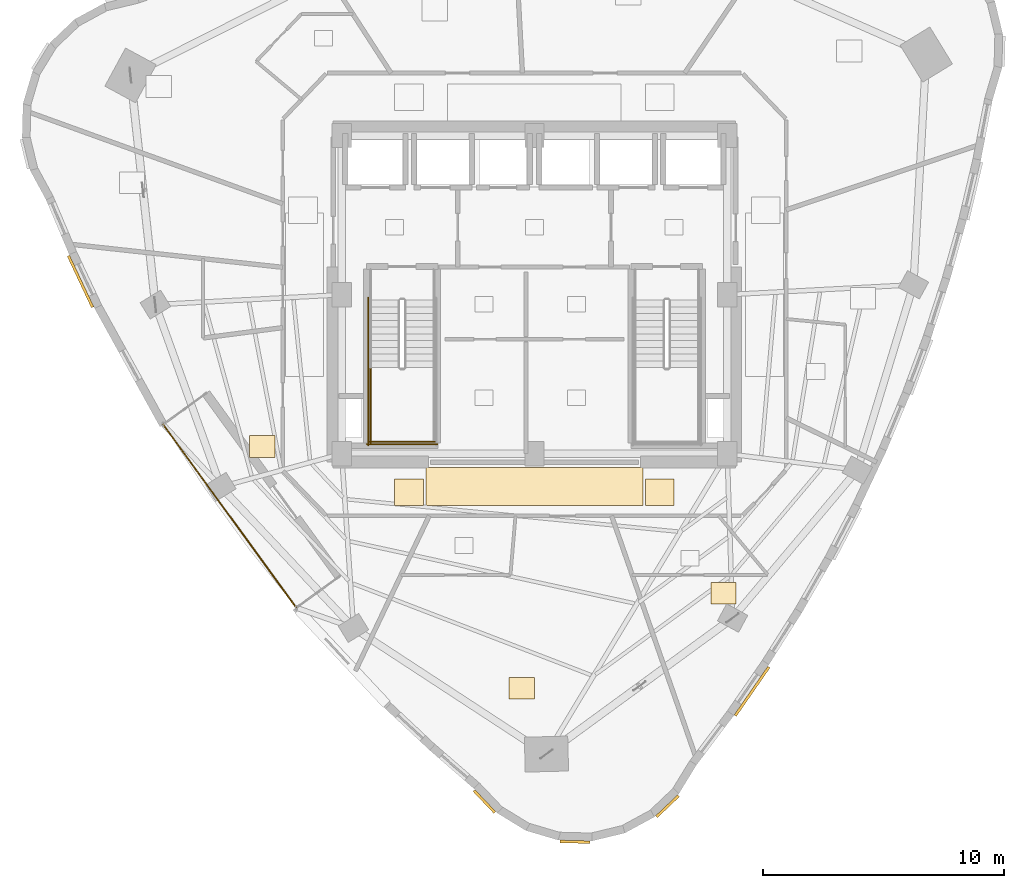
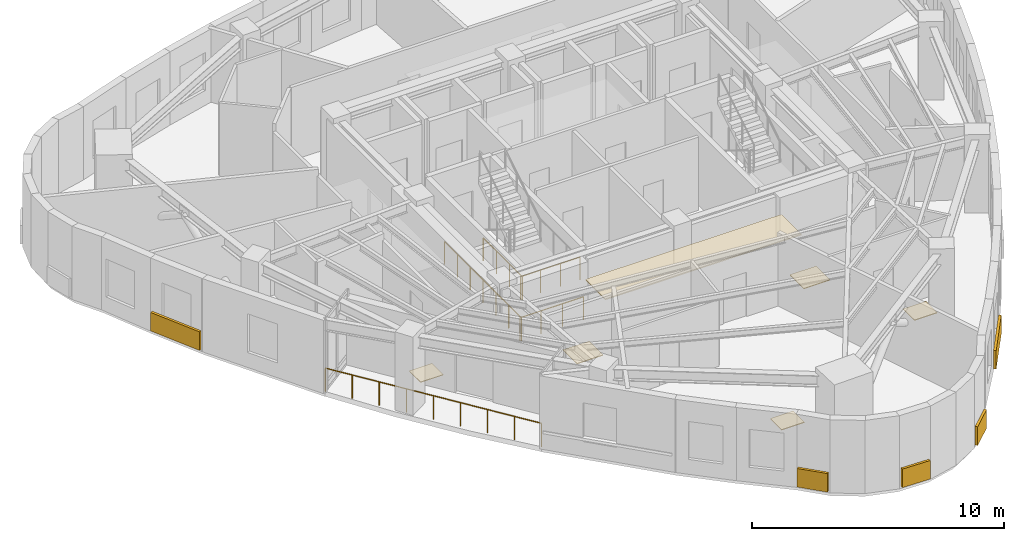
# One storey, part 11 of 13: 11 coverings, 5 railings.
"""IFC4 building model written with IfcOpenShell, lengths in metres."""

from ifc_helpers import new_model, si_unit, direction, frame, origin, origin_2d, place, context, subcontext, project, spatial, rectangle, circle, extrude, material, layer, layer_set, type_object, element, save


model = new_model("IFC4")

# Units and contexts
model_context = context("Model", 3, precision=1e-05, world=origin(), true_north=direction((0.0, 1.0)))
body_context = subcontext(model_context, "Body", "Model", "MODEL_VIEW")
ifc_project = project(units=[si_unit("LENGTHUNIT", "METRE"), si_unit("AREAUNIT", "SQUARE_METRE"), si_unit("VOLUMEUNIT", "CUBIC_METRE"), si_unit("PLANEANGLEUNIT", "RADIAN"), si_unit("MASSUNIT", "GRAM", prefix="KILO")], contexts=[model_context])

# Site, building, storey
site_placement = place(None, origin())
site = spatial("IfcSite", under=ifc_project, at=site_placement, CompositionType="ELEMENT")
building_placement = place(site_placement, origin())
building = spatial("IfcBuilding", under=site, at=building_placement, Name="Ndelora Gate Hotel", CompositionType="ELEMENT")
storey_placement = place(building_placement, frame((0.0, 0.0, 228.35009765625)))
storey = spatial("IfcBuildingStorey", under=building, at=storey_placement, Name="L57", CompositionType="ELEMENT", Elevation=228.35009765625)

# Coverings
ifc_material_1 = material(Name="Perforated Acoustic Gypsum Board", Category="gypsum")
ifc_layer_1 = layer(ifc_material_1, 0.054931640625)
ifc_layer_set_1 = layer_set([ifc_layer_1], Name="Perforated Acoustic Gypsum Board")
covering_type_1 = type_object("IfcCoveringType", Name="COV-CEIL-AC60", PredefinedType="CEILING", material=ifc_layer_set_1)
covering_1_placement = place(storey_placement, frame((0.0, -7.9599609375, 2.65234375), z_axis=(0.0, 0.0, 1.0), x_axis=(1.0, 0.0, 0.0)))
element("IfcCovering", 1, at=covering_1_placement, inside=storey, type_object=covering_type_1, Name="L57 Guest Corridor Acoustic Ceiling S", PredefinedType="CEILING", context=body_context, shape_type="SweptSolid", body=[
    extrude(rectangle(XDim=9.0, YDim=1.580078125, at=origin_2d()), origin(), (0.0, 0.0, 1.0), 0.054931640625),
])
ifc_material_2 = material(Name="Terracotta Fired Clay Brick Slip Cladding", Category="masonry")
ifc_layer_2 = layer(ifc_material_2, 0.110107421875)
ifc_layer_set_2 = layer_set([ifc_layer_2], Name="Terracotta Fired Clay Brick Slip Cladding")
covering_type_2 = type_object("IfcCoveringType", Name="COV-CLAD-BRK", PredefinedType="CLADDING", material=ifc_layer_set_2)
covering_2_placement = place(storey_placement, frame((-18.83642578125, 0.544189453125, 0.099853515625), z_axis=(0.0, 0.0, 1.0), x_axis=(-0.425305466885, 0.90504986594, 0.0)))
element("IfcCovering", 2, at=covering_2_placement, inside=storey, type_object=covering_type_2, Name="L57 Rounded-Corner Brick Cladding Band 10", PredefinedType="CLADDING", context=body_context, shape_type="SweptSolid", body=[
    extrude(rectangle(XDim=2.35888671875, YDim=0.110107421875, at=origin_2d()), origin(), (0.0, 0.0, 1.0), 0.89990234375),
])
for number, where, z_axis, x_axis, name in (
    (3, (-2.076416015625, -21.031982421875, 0.099853515625), (0.0, 0.0, 1.0), (-0.688354575694, 0.725374371012, 0.0), "L57 Rounded-Corner Brick Cladding Band 19"),
    (4, (1.68115234375, -22.705078125, 0.099853515625), (0.0, 0.0, 1.0), (-0.999657324976, 0.026176948308, 0.0), "L57 Rounded-Corner Brick Cladding Band 22"),
    (5, (5.52099609375, -21.23095703125, 0.099853515625), (0.0, 0.0, 1.0), (0.725374371012, 0.688354575694, 0.0), "L57 Rounded-Corner Brick Cladding Band 25"),
):
    element("IfcCovering", number, at=place(storey_placement, frame(where, z_axis=z_axis, x_axis=x_axis)), inside=storey, type_object=covering_type_2, Name=name, PredefinedType="CLADDING", context=body_context, shape_type="SweptSolid", body=[
        extrude(rectangle(XDim=1.257080078125, YDim=0.110107421875, at=origin_2d()), origin(), (0.0, 0.0, 1.0), 0.89990234375),
    ])
covering_3_placement = place(storey_placement, frame((9.033935546875, -16.457763671875, 0.099853515625), z_axis=(0.0, 0.0, 1.0), x_axis=(0.569136023557, 0.822243386529, 0.0)))
element("IfcCovering", 6, at=covering_3_placement, inside=storey, type_object=covering_type_2, Name="L57 Rounded-Corner Brick Cladding Band 28", PredefinedType="CLADDING", context=body_context, shape_type="SweptSolid", body=[
    extrude(rectangle(XDim=2.4599609375, YDim=0.110107421875, at=origin_2d()), origin(), (0.0, 0.0, 1.0), 0.89990234375),
])
ifc_material_3 = material(Name="Engineered Highland Oak Parquet", Category="wood")
ifc_layer_3 = layer(ifc_material_3, 0.030029296875)
ifc_layer_set_3 = layer_set([ifc_layer_3], Name="Engineered Highland Oak Parquet")
covering_type_3 = type_object("IfcCoveringType", Name="COV-FLR-PARQ", PredefinedType="FLOORING", material=ifc_layer_set_3)
for number, where, z_axis, x_axis, name in (
    (7, (-11.2958984375, -6.302734375, 0.0), (0.0, 0.0, 1.0), (1.0, 0.0, 0.0), "L57 Sky Garden Tea Dining Room Oak Parquet Flooring"),
    (8, (-0.522216796875, -16.328369140625, 0.0), (0.0, 0.0, 1.0), (1.0, 0.0, 0.0), "L57 Highland Executive Two-Bay Suite 6001 Oak Parquet Flooring"),
    (9, (7.846435546875, -12.3916015625, 0.0), (0.0, 0.0, 1.0), (1.0, 0.0, 0.0), "L57 Corner Panoramic Executive Suite 6002 Oak Parquet Flooring"),
):
    element("IfcCovering", number, at=place(storey_placement, frame(where, z_axis=z_axis, x_axis=x_axis)), inside=storey, type_object=covering_type_3, Name=name, PredefinedType="FLOORING", context=body_context, shape_type="SweptSolid", body=[
        extrude(rectangle(XDim=1.050048828125, YDim=0.89990234375, at=origin_2d()), origin(), (0.0, 0.0, 1.0), 0.030029296875),
    ])
ifc_material_4 = material(Name="Polished Highland Stone Terrazzo", Category="masonry")
ifc_layer_4 = layer(ifc_material_4, 0.034912109375)
ifc_layer_set_4 = layer_set([ifc_layer_4], Name="Polished Highland Stone Terrazzo")
covering_type_4 = type_object("IfcCoveringType", Name="COV-FLR-TERZ", PredefinedType="FLOORING", material=ifc_layer_set_4)
for number, where, z_axis, x_axis, name in (
    (10, (-5.199951171875, -8.199951171875, 0.0), (0.0, 0.0, 1.0), (1.0, 0.0, 0.0), "L57 Corridor Threshold Terrazzo Inlay SW"),
    (11, (5.199951171875, -8.199951171875, 0.0), (0.0, 0.0, 1.0), (1.0, 0.0, 0.0), "L57 Corridor Threshold Terrazzo Inlay SE"),
):
    element("IfcCovering", number, at=place(storey_placement, frame(where, z_axis=z_axis, x_axis=x_axis)), inside=storey, type_object=covering_type_4, Name=name, PredefinedType="FLOORING", context=body_context, shape_type="SweptSolid", body=[
        extrude(rectangle(XDim=1.199951171875, YDim=1.10009765625, at=origin_2d()), origin(), (0.0, 0.0, 1.0), 0.034912109375),
    ])

# Railings
ifc_material_5 = material(Name="Laminated Safety Glass and Bronze Top Rail", Category="glass")
ifc_layer_5 = layer(ifc_material_5, 0.070068359375)
ifc_layer_set_5 = layer_set([ifc_layer_5], Name="Laminated Safety Glass and Bronze Top Rail")
railing_type_1 = type_object("IfcRailingType", Name="RL-BAL-1150", PredefinedType="BALUSTRADE", material=ifc_layer_set_5)
railing_1_placement = place(storey_placement, frame((-15.407470703125, -5.384521484375, 0.0)))
element("IfcRailing", 12, at=railing_1_placement, inside=storey, type_object=railing_type_1, Name="L57 Sky-Garden Loggia Terrace Balustrade", PredefinedType="BALUSTRADE", context=body_context, shape_type="SweptSolid", body=[
    extrude(circle(Radius=0.02392578125, at=origin_2d()), frame((0.0, 0.0, 1.1357421875), z_axis=(0.587771657404, -0.809026871465, 0.0), x_axis=(0.809026871465, 0.587771657404, 0.0)), (0.0, 0.0, 1.0), 9.400146484375),
    extrude(circle(Radius=0.02099609375, at=origin_2d()), origin(), (0.0, 0.0, 1.0), 1.11181640625),
    extrude(circle(Radius=0.02099609375, at=origin_2d()), frame((0.690673828125, -0.95068359375, 0.0)), (0.0, 0.0, 1.0), 1.11181640625),
    extrude(circle(Radius=0.02099609375, at=origin_2d()), frame((1.38134765625, -1.9013671875, 0.0)), (0.0, 0.0, 1.0), 1.11181640625),
    extrude(circle(Radius=0.02099609375, at=origin_2d()), frame((2.072021484375, -2.851806640625, 0.0)), (0.0, 0.0, 1.0), 1.11181640625),
    extrude(circle(Radius=0.02099609375, at=origin_2d()), frame((2.7626953125, -3.802490234375, 0.0)), (0.0, 0.0, 1.0), 1.11181640625),
    extrude(circle(Radius=0.02099609375, at=origin_2d()), frame((3.453125, -4.753173828125, 0.0)), (0.0, 0.0, 1.0), 1.11181640625),
    extrude(circle(Radius=0.02099609375, at=origin_2d()), frame((4.143798828125, -5.70361328125, 0.0)), (0.0, 0.0, 1.0), 1.11181640625),
    extrude(circle(Radius=0.02099609375, at=origin_2d()), frame((4.83447265625, -6.654296875, 0.0)), (0.0, 0.0, 1.0), 1.11181640625),
    extrude(circle(Radius=0.02099609375, at=origin_2d()), frame((5.525146484375, -7.60498046875, 0.0)), (0.0, 0.0, 1.0), 1.11181640625),
])
ifc_material_6 = material(Name="Painted Galvanized Steel Balustrade", Category="steel")
ifc_layer_6 = layer(ifc_material_6, 0.06005859375)
ifc_layer_set_6 = layer_set([ifc_layer_6], Name="Painted Galvanized Steel Balustrade")
railing_type_2 = type_object("IfcRailingType", Name="RL-STAIR-GD", PredefinedType="GUARDRAIL", material=ifc_layer_set_6)
railing_2_placement = place(storey_placement, frame((-6.800048828125, -3.030029296875, 1.89990234375)))
element("IfcRailing", 13, at=railing_2_placement, inside=storey, type_object=railing_type_2, Name="L57 ST4 stair guard 3", PredefinedType="GUARDRAIL", context=body_context, shape_type="SweptSolid", body=[
    extrude(circle(Radius=0.02392578125, at=origin_2d()), frame((0.0, 0.0, 1.10595703125), z_axis=(0.0, -1.0, 0.0), x_axis=(1.0, 0.0, 0.0)), (0.0, 0.0, 1.0), 3.119873046875),
    extrude(circle(Radius=0.02099609375, at=origin_2d()), origin(), (0.0, 0.0, 1.0), 1.081787109375),
    extrude(circle(Radius=0.02099609375, at=origin_2d()), frame((0.0, -1.0400390625, 0.0)), (0.0, 0.0, 1.0), 1.081787109375),
    extrude(circle(Radius=0.02099609375, at=origin_2d()), frame((0.0, -2.079833984375, 0.0)), (0.0, 0.0, 1.0), 1.081787109375),
    extrude(circle(Radius=0.02099609375, at=origin_2d()), frame((0.0, -3.119873046875, 0.0)), (0.0, 0.0, 1.0), 1.081787109375),
])
railing_3_placement = place(storey_placement, frame((-6.85009765625, -6.10009765625, 1.89990234375)))
element("IfcRailing", 14, at=railing_3_placement, inside=storey, type_object=railing_type_2, Name="L57 ST4 stair guard 5", PredefinedType="GUARDRAIL", context=body_context, shape_type="SweptSolid", body=[
    extrude(circle(Radius=0.02392578125, at=origin_2d()), frame((0.0, 0.0, 1.10595703125), z_axis=(1.0, 0.0, 0.0), x_axis=(0.0, 1.0, 0.0)), (0.0, 0.0, 1.0), 2.72021484375),
    extrude(circle(Radius=0.02099609375, at=origin_2d()), origin(), (0.0, 0.0, 1.0), 1.081787109375),
    extrude(circle(Radius=0.02099609375, at=origin_2d()), frame((0.90673828125, 0.0, 0.0)), (0.0, 0.0, 1.0), 1.081787109375),
    extrude(circle(Radius=0.02099609375, at=origin_2d()), frame((1.8134765625, 0.0, 0.0)), (0.0, 0.0, 1.0), 1.081787109375),
    extrude(circle(Radius=0.02099609375, at=origin_2d()), frame((2.72021484375, 0.0, 0.0)), (0.0, 0.0, 1.0), 1.081787109375),
])
railing_4_placement = place(storey_placement, frame((-6.89990234375, -0.1298828125, 0.0)))
element("IfcRailing", 15, at=railing_4_placement, inside=storey, type_object=railing_type_2, Name="L57 ST4 stair guard 10", PredefinedType="GUARDRAIL", context=body_context, shape_type="SweptSolid", body=[
    extrude(circle(Radius=0.02392578125, at=origin_2d()), frame((0.0, 0.0, 1.10595703125), z_axis=(0.0, -1.0, 0.0), x_axis=(1.0, 0.0, 0.0)), (0.0, 0.0, 1.0), 6.1201171875),
    extrude(circle(Radius=0.02099609375, at=origin_2d()), origin(), (0.0, 0.0, 1.0), 1.081787109375),
    extrude(circle(Radius=0.02099609375, at=origin_2d()), frame((0.0, -1.02001953125, 0.0)), (0.0, 0.0, 1.0), 1.081787109375),
    extrude(circle(Radius=0.02099609375, at=origin_2d()), frame((0.0, -2.0400390625, 0.0)), (0.0, 0.0, 1.0), 1.081787109375),
    extrude(circle(Radius=0.02099609375, at=origin_2d()), frame((0.0, -3.06005859375, 0.0)), (0.0, 0.0, 1.0), 1.081787109375),
    extrude(circle(Radius=0.02099609375, at=origin_2d()), frame((0.0, -4.080078125, 0.0)), (0.0, 0.0, 1.0), 1.081787109375),
    extrude(circle(Radius=0.02099609375, at=origin_2d()), frame((0.0, -5.10009765625, 0.0)), (0.0, 0.0, 1.0), 1.081787109375),
    extrude(circle(Radius=0.02099609375, at=origin_2d()), frame((0.0, -6.1201171875, 0.0)), (0.0, 0.0, 1.0), 1.081787109375),
])
railing_5_placement = place(storey_placement, frame((-6.949951171875, -6.199951171875, 0.0)))
element("IfcRailing", 16, at=railing_5_placement, inside=storey, type_object=railing_type_2, Name="L57 ST4 stair guard 12", PredefinedType="GUARDRAIL", context=body_context, shape_type="SweptSolid", body=[
    extrude(circle(Radius=0.02392578125, at=origin_2d()), frame((0.0, 0.0, 1.10595703125), z_axis=(1.0, 0.0, 0.0), x_axis=(0.0, 1.0, 0.0)), (0.0, 0.0, 1.0), 2.919921875),
    extrude(circle(Radius=0.02099609375, at=origin_2d()), origin(), (0.0, 0.0, 1.0), 1.081787109375),
    extrude(circle(Radius=0.02099609375, at=origin_2d()), frame((0.973388671875, 0.0, 0.0)), (0.0, 0.0, 1.0), 1.081787109375),
    extrude(circle(Radius=0.02099609375, at=origin_2d()), frame((1.946533203125, 0.0, 0.0)), (0.0, 0.0, 1.0), 1.081787109375),
    extrude(circle(Radius=0.02099609375, at=origin_2d()), frame((2.919921875, 0.0, 0.0)), (0.0, 0.0, 1.0), 1.081787109375),
])

save(model, "model.ifc")
